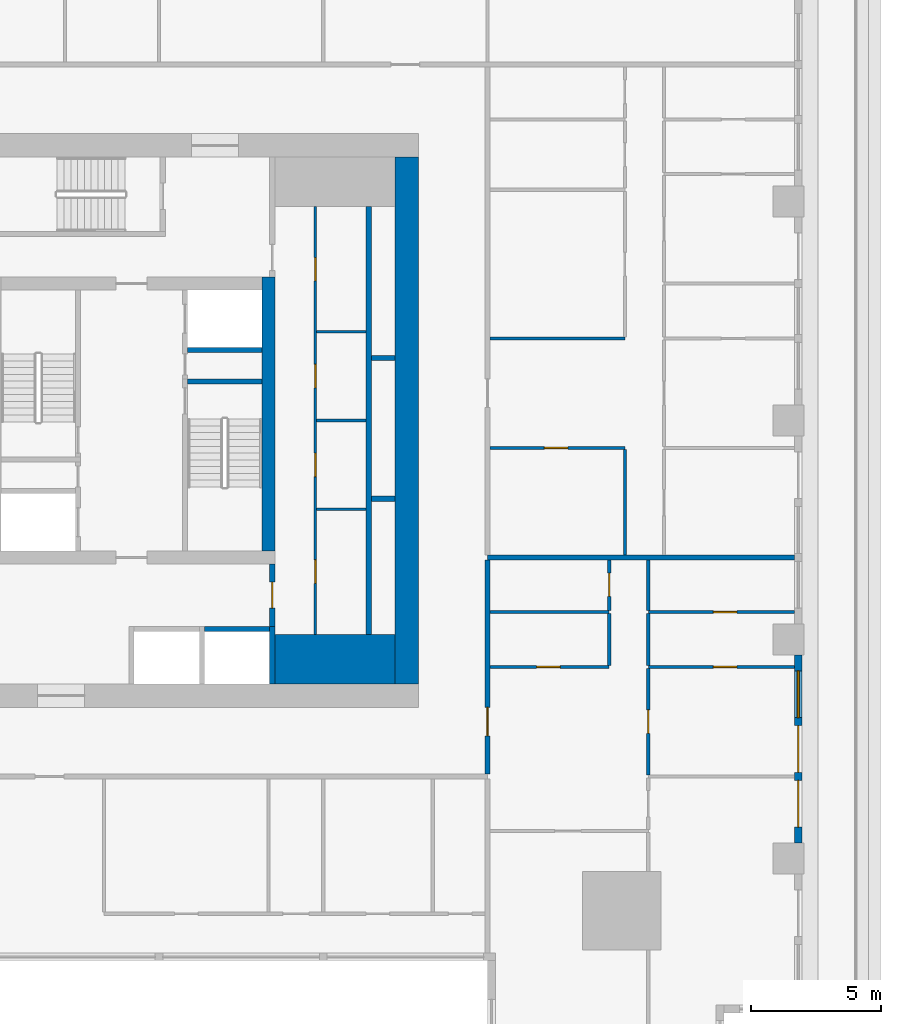
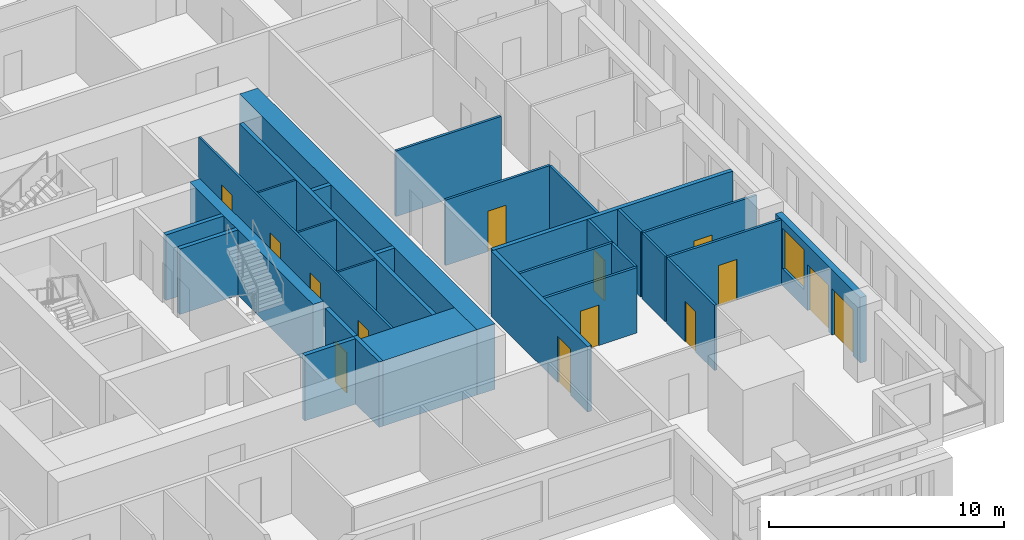
# One storey, part 5 of 14: 30 walls, 14 doors, 1 window, 15 openings.
"""IFC4 building model written with IfcOpenShell, lengths in metres."""

from ifc_helpers import new_model, si_unit, direction, frame, frame_2d, origin, place, context, subcontext, project, spatial, rectangle, extrude, material, layer, layer_set, type_object, element, fill, save


model = new_model("IFC4")

# Units and contexts
model_context = context("Model", 3, precision=1e-05, world=origin(), true_north=direction((0.0, 1.0)))
body_context = subcontext(model_context, "Body", "Model", "MODEL_VIEW")
ifc_project = project(units=[si_unit("LENGTHUNIT", "METRE"), si_unit("AREAUNIT", "SQUARE_METRE"), si_unit("VOLUMEUNIT", "CUBIC_METRE"), si_unit("PLANEANGLEUNIT", "RADIAN"), si_unit("MASSUNIT", "GRAM", prefix="KILO")], contexts=[model_context])

# Site, building, storey
site_placement = place(None, origin())
site = spatial("IfcSite", under=ifc_project, at=site_placement, CompositionType="ELEMENT")
building_placement = place(site_placement, origin())
building = spatial("IfcBuilding", under=site, at=building_placement, Name="Khepri Terraces", CompositionType="ELEMENT")
storey_placement = place(building_placement, frame((0.0, 0.0, 69.89990234375)))
storey = spatial("IfcBuildingStorey", under=building, at=storey_placement, Name="L16", CompositionType="ELEMENT", Elevation=69.89990234375)

# Walls
ifc_material_1 = material(Name="Concrete C80/95", Category="concrete")
ifc_layer_1 = layer(ifc_material_1, 1.89990234375, Name="Concrete C80/95", Category="concrete")
ifc_layer_set_1 = layer_set([ifc_layer_1], Name="Concrete C80/95")
wall_type_1 = type_object("IfcWallType", Name="Core wall 1900 C80/95", PredefinedType="SHEAR", material=ifc_layer_set_1)
wall_1_placement = place(storey_placement, frame((5.5, -9.14990234375, 0.0), z_axis=(0.0, 0.0, 1.0), x_axis=(1.0, 0.0, 0.0)))
element("IfcWall", 1, at=wall_1_placement, inside=storey, type_object=wall_type_1, Name="Core wall PR02 L16", PredefinedType="SHEAR", context=body_context, shape_type="SweptSolid", body=[
    extrude(rectangle(XDim=4.60009765625, YDim=1.89990234375, at=frame_2d((2.300048828125, 0.0))), origin(), (0.0, 0.0, 1.0), 3.400146484375),
])
ifc_layer_2 = layer(ifc_material_1, 0.199951171875, Name="Concrete C80/95", Category="concrete")
ifc_layer_set_2 = layer_set([ifc_layer_2], Name="Concrete C80/95")
wall_type_2 = type_object("IfcWallType", Name="Core wall 200 C80/95", PredefinedType="SHEAR", material=ifc_layer_set_2)
wall_2_placement = place(storey_placement, frame((2.14990234375, 1.5, 0.0), z_axis=(0.0, 0.0, 1.0), x_axis=(1.0, 0.0, 0.0)))
element("IfcWall", 2, at=wall_2_placement, inside=storey, type_object=wall_type_2, Name="Core wall ST04 L16", PredefinedType="SHEAR", context=body_context, shape_type="SweptSolid", body=[
    extrude(rectangle(XDim=2.85009765625, YDim=0.199951171875, at=frame_2d((1.425048828125, 0.0))), origin(), (0.0, 0.0, 1.0), 3.400146484375),
])
wall_3_placement = place(storey_placement, frame((5.39990234375, -10.10009765625, 0.0), z_axis=(0.0, 0.0, 1.0), x_axis=(0.0, 1.0, 0.0)))
element("IfcWall", 3, at=wall_3_placement, inside=storey, type_object=wall_type_2, Name="Core wall SH03 L16", PredefinedType="SHEAR", context=body_context, shape_type="SweptSolid", body=[
    extrude(rectangle(XDim=2.2001953125, YDim=0.199951171875, at=frame_2d((1.10009765625, 0.0))), origin(), (0.0, 0.0, 1.0), 3.400146484375),
])
wall_4_placement = place(storey_placement, frame((9.10009765625, -8.199951171875, 0.0), z_axis=(0.0, 0.0, 1.0), x_axis=(0.0, 1.0, 0.0)))
element("IfcWall", 4, at=wall_4_placement, inside=storey, type_object=wall_type_2, Name="Core wall SH05 L16", PredefinedType="SHEAR", context=body_context, shape_type="SweptSolid", body=[
    extrude(rectangle(XDim=16.39990234375, YDim=0.199951171875, at=frame_2d((8.199951171875, 0.0))), origin(), (0.0, 0.0, 1.0), 3.400146484375),
])
wall_5_placement = place(storey_placement, frame((2.800048828125, -8.0, 0.0), z_axis=(0.0, 0.0, 1.0), x_axis=(1.0, 0.0, 0.0)))
element("IfcWall", 5, at=wall_5_placement, inside=storey, type_object=wall_type_2, Name="Core wall SH07 L16", PredefinedType="SHEAR", context=body_context, shape_type="SweptSolid", body=[
    extrude(rectangle(XDim=2.5, YDim=0.199951171875, at=frame_2d((1.25, 0.0))), origin(), (0.0, 0.0, 1.0), 3.400146484375),
])
for number, where, z_axis, x_axis, name in (
    (6, (9.199951171875, -3.0, 0.0), (0.0, 0.0, 1.0), (1.0, 0.0, 0.0), "Core wall SH11 L16"),
    (7, (9.199951171875, 2.39990234375, 0.0), (0.0, 0.0, 1.0), (1.0, 0.0, 0.0), "Core wall SH16 L16"),
):
    element("IfcWall", number, at=place(storey_placement, frame(where, z_axis=z_axis, x_axis=x_axis)), inside=storey, type_object=wall_type_2, Name=name, PredefinedType="SHEAR", context=body_context, shape_type="SweptSolid", body=[
        extrude(rectangle(XDim=0.900146484375, YDim=0.199951171875, at=frame_2d((0.4501953125, 0.0))), origin(), (0.0, 0.0, 1.0), 3.400146484375),
    ])
wall_6_placement = place(storey_placement, frame((2.14990234375, 2.699951171875, 0.0), z_axis=(0.0, 0.0, 1.0), x_axis=(1.0, 0.0, 0.0)))
element("IfcWall", 8, at=wall_6_placement, inside=storey, type_object=wall_type_2, Name="Core wall SH18 L16", PredefinedType="SHEAR", context=body_context, shape_type="SweptSolid", body=[
    extrude(rectangle(XDim=2.85009765625, YDim=0.199951171875, at=frame_2d((1.425048828125, 0.0))), origin(), (0.0, 0.0, 1.0), 3.400146484375),
])
ifc_layer_3 = layer(ifc_material_1, 0.5, Name="Concrete C80/95", Category="concrete")
ifc_layer_set_3 = layer_set([ifc_layer_3], Name="Concrete C80/95")
wall_type_3 = type_object("IfcWallType", Name="Core wall 500 C80/95", PredefinedType="SHEAR", material=ifc_layer_set_3)
wall_7_placement = place(storey_placement, frame((5.25, -5.0, 0.0), z_axis=(0.0, 0.0, 1.0), x_axis=(0.0, 1.0, 0.0)))
element("IfcWall", 9, at=wall_7_placement, inside=storey, type_object=wall_type_3, Name="Core wall BX03 L16", PredefinedType="SHEAR", context=body_context, shape_type="SweptSolid", body=[
    extrude(rectangle(XDim=10.5, YDim=0.5, at=frame_2d((5.25, 0.0))), origin(), (0.0, 0.0, 1.0), 3.400146484375),
])
ifc_layer_4 = layer(ifc_material_1, 0.89990234375, Name="Concrete C80/95", Category="concrete")
ifc_layer_set_4 = layer_set([ifc_layer_4], Name="Concrete C80/95")
wall_type_4 = type_object("IfcWallType", Name="Core wall 900 C80/95", PredefinedType="SHEAR", material=ifc_layer_set_4)
wall_8_placement = place(storey_placement, frame((10.550048828125, -10.10009765625, 0.0), z_axis=(0.0, 0.0, 1.0), x_axis=(0.0, 1.0, 0.0)))
element("IfcWall", 10, at=wall_8_placement, inside=storey, type_object=wall_type_4, Name="Core wall OW-E L16", PredefinedType="SHEAR", context=body_context, shape_type="SweptSolid", body=[
    extrude(rectangle(XDim=20.2001953125, YDim=0.89990234375, at=frame_2d((10.10009765625, 0.0))), origin(), (0.0, 0.0, 1.0), 3.400146484375),
])

# Wall, openings, doors
ifc_material_2 = material(Name="Fire-rated gypsum board partition")
ifc_layer_5 = layer(ifc_material_2, 0.10009765625, Name="Fire-rated gypsum board partition")
ifc_layer_set_5 = layer_set([ifc_layer_5], Name="Fire-rated gypsum board partition")
wall_type_5 = type_object("IfcWallType", Name="WL-CORE-PART-100", PredefinedType="PARTITIONING", material=ifc_layer_set_5)
wall_9_placement = place(storey_placement, frame((7.050048828125, -8.199951171875, 0.0), z_axis=(0.0, 0.0, 1.0), x_axis=(0.0, 1.0, 0.0)))
wall_9 = element("IfcWall", 11, at=wall_9_placement, inside=storey, type_object=wall_type_5, Name="Core partition PT02 L16", PredefinedType="PARTITIONING", context=body_context, shape_type="SweptSolid", body=[
    extrude(rectangle(XDim=16.39990234375, YDim=0.10009765625, at=frame_2d((8.199951171875, 0.0))), origin(), (0.0, 0.0, 1.0), 3.400146484375),
])
opening_1_placement = place(wall_9_placement, frame((1.949951171875, 0.0, 0.0)))
opening_1 = element("IfcOpeningElement", 12, at=opening_1_placement, cuts=wall_9, Name="Opening L16-C22", PredefinedType="OPENING", context=body_context, shape_type="SweptSolid", body=[
    extrude(rectangle(XDim=0.89990234375, YDim=2.10009765625, at=frame_2d((0.449951171875, 1.050048828125))), frame((0.0, 0.06005859375, 0.0), z_axis=(0.0, -1.0, 0.0), x_axis=(1.0, 0.0, 0.0)), (0.0, 0.0, 1.0), 0.1201171875),
])
opening_2_placement = place(wall_9_placement, frame((6.050048828125, 0.0, 0.0)))
opening_2 = element("IfcOpeningElement", 13, at=opening_2_placement, cuts=wall_9, Name="Opening L16-C23", PredefinedType="OPENING", context=body_context, shape_type="SweptSolid", body=[
    extrude(rectangle(XDim=0.89990234375, YDim=2.10009765625, at=frame_2d((0.449951171875, 1.050048828125))), frame((0.0, 0.06005859375, 0.0), z_axis=(0.0, -1.0, 0.0), x_axis=(1.0, 0.0, 0.0)), (0.0, 0.0, 1.0), 0.1201171875),
])
opening_3_placement = place(wall_9_placement, frame((9.449951171875, 0.0, 0.0)))
opening_3 = element("IfcOpeningElement", 14, at=opening_3_placement, cuts=wall_9, Name="Opening L16-C24", PredefinedType="OPENING", context=body_context, shape_type="SweptSolid", body=[
    extrude(rectangle(XDim=0.89990234375, YDim=2.10009765625, at=frame_2d((0.449951171875, 1.050048828125))), frame((0.0, 0.06005859375, 0.0), z_axis=(0.0, -1.0, 0.0), x_axis=(1.0, 0.0, 0.0)), (0.0, 0.0, 1.0), 0.1201171875),
])
opening_4_placement = place(wall_9_placement, frame((13.550048828125, 0.0, 0.0)))
opening_4 = element("IfcOpeningElement", 15, at=opening_4_placement, cuts=wall_9, Name="Opening L16-C25", PredefinedType="OPENING", context=body_context, shape_type="SweptSolid", body=[
    extrude(rectangle(XDim=0.89990234375, YDim=2.10009765625, at=frame_2d((0.449951171875, 1.050048828125))), frame((0.0, 0.06005859375, 0.0), z_axis=(0.0, -1.0, 0.0), x_axis=(1.0, 0.0, 0.0)), (0.0, 0.0, 1.0), 0.1201171875),
])
ifc_material_3 = material(Name="Painted steel", Category="steel")
door_type_1 = type_object("IfcDoorType", Name="DR-CORE-SERVICE-900", OperationType="NOTDEFINED", PredefinedType="DOOR", material=ifc_material_3)
door_1_placement = place(opening_1_placement, frame((0.89990234375, 0.0, 0.0), z_axis=(0.0, 0.0, 1.0), x_axis=(-1.0, 0.0, 0.0)))
door_1 = element("IfcDoor", 16, at=door_1_placement, inside=storey, type_object=door_type_1, Name="Service room door L16-C22", OperationType="SINGLE_SWING_RIGHT", OverallHeight=2.10009765625, OverallWidth=0.89990234375, PredefinedType="DOOR", context=body_context, shape_type="SweptSolid", body=[
    extrude(rectangle(XDim=0.89990234375, YDim=2.10009765625, at=frame_2d((0.449951171875, 1.050048828125))), frame((0.0, 0.02490234375, 0.0), z_axis=(0.0, -1.0, 0.0), x_axis=(1.0, 0.0, 0.0)), (0.0, 0.0, 1.0), 0.050048828125),
])
fill(opening_1, door_1)
door_2_placement = place(opening_2_placement, frame((0.89990234375, 0.0, 0.0), z_axis=(0.0, 0.0, 1.0), x_axis=(-1.0, 0.0, 0.0)))
door_2 = element("IfcDoor", 17, at=door_2_placement, inside=storey, type_object=door_type_1, Name="Service room door L16-C23", OperationType="SINGLE_SWING_RIGHT", OverallHeight=2.10009765625, OverallWidth=0.89990234375, PredefinedType="DOOR", context=body_context, shape_type="SweptSolid", body=[
    extrude(rectangle(XDim=0.89990234375, YDim=2.10009765625, at=frame_2d((0.449951171875, 1.050048828125))), frame((0.0, 0.02490234375, 0.0), z_axis=(0.0, -1.0, 0.0), x_axis=(1.0, 0.0, 0.0)), (0.0, 0.0, 1.0), 0.050048828125),
])
fill(opening_2, door_2)
door_3_placement = place(opening_3_placement, frame((0.89990234375, 0.0, 0.0), z_axis=(0.0, 0.0, 1.0), x_axis=(-1.0, 0.0, 0.0)))
door_3 = element("IfcDoor", 18, at=door_3_placement, inside=storey, type_object=door_type_1, Name="Service room door L16-C24", OperationType="SINGLE_SWING_LEFT", OverallHeight=2.10009765625, OverallWidth=0.89990234375, PredefinedType="DOOR", context=body_context, shape_type="SweptSolid", body=[
    extrude(rectangle(XDim=0.89990234375, YDim=2.10009765625, at=frame_2d((0.449951171875, 1.050048828125))), frame((0.0, 0.02490234375, 0.0), z_axis=(0.0, -1.0, 0.0), x_axis=(1.0, 0.0, 0.0)), (0.0, 0.0, 1.0), 0.050048828125),
])
fill(opening_3, door_3)
door_4_placement = place(opening_4_placement, frame((0.89990234375, 0.0, 0.0), z_axis=(0.0, 0.0, 1.0), x_axis=(-1.0, 0.0, 0.0)))
door_4 = element("IfcDoor", 19, at=door_4_placement, inside=storey, type_object=door_type_1, Name="Service room door L16-C25", OperationType="SINGLE_SWING_LEFT", OverallHeight=2.10009765625, OverallWidth=0.89990234375, PredefinedType="DOOR", context=body_context, shape_type="SweptSolid", body=[
    extrude(rectangle(XDim=0.89990234375, YDim=2.10009765625, at=frame_2d((0.449951171875, 1.050048828125))), frame((0.0, 0.02490234375, 0.0), z_axis=(0.0, -1.0, 0.0), x_axis=(1.0, 0.0, 0.0)), (0.0, 0.0, 1.0), 0.050048828125),
])
fill(opening_4, door_4)

# Walls
for number, where, z_axis, x_axis, name in (
    (20, (7.10009765625, -3.39990234375, 0.0), (0.0, 0.0, 1.0), (1.0, 0.0, 0.0), "Core partition PT04 L16"),
    (21, (7.10009765625, 0.0, 0.0), (0.0, 0.0, 1.0), (1.0, 0.0, 0.0), "Core partition PT05 L16"),
    (22, (7.10009765625, 3.39990234375, 0.0), (0.0, 0.0, 1.0), (1.0, 0.0, 0.0), "Core partition PT06 L16"),
):
    element("IfcWall", number, at=place(storey_placement, frame(where, z_axis=z_axis, x_axis=x_axis)), inside=storey, type_object=wall_type_5, Name=name, PredefinedType="PARTITIONING", context=body_context, shape_type="SweptSolid", body=[
        extrude(rectangle(XDim=1.89990234375, YDim=0.10009765625, at=frame_2d((0.949951171875, 0.0))), origin(), (0.0, 0.0, 1.0), 3.400146484375),
    ])

# Wall, opening, door
ifc_layer_6 = layer(ifc_material_2, 0.199951171875, Name="Fire-rated gypsum board partition")
ifc_layer_set_6 = layer_set([ifc_layer_6], Name="Fire-rated gypsum board partition")
wall_type_6 = type_object("IfcWallType", Name="WL-CORE-PART-200", PredefinedType="PARTITIONING", material=ifc_layer_set_6)
wall_10_placement = place(storey_placement, frame((5.39990234375, -7.89990234375, 0.0), z_axis=(0.0, 0.0, 1.0), x_axis=(0.0, 1.0, 0.0)))
wall_10 = element("IfcWall", 23, at=wall_10_placement, inside=storey, type_object=wall_type_6, Name="Core partition PT03 L16", PredefinedType="PARTITIONING", context=body_context, shape_type="SweptSolid", body=[
    extrude(rectangle(XDim=2.39990234375, YDim=0.199951171875, at=frame_2d((1.199951171875, 0.0))), origin(), (0.0, 0.0, 1.0), 3.400146484375),
])
opening_5_placement = place(wall_10_placement, frame((0.699951171875, 0.0, 0.0)))
opening_5 = element("IfcOpeningElement", 24, at=opening_5_placement, cuts=wall_10, Name="Opening L16-C19", PredefinedType="OPENING", context=body_context, shape_type="SweptSolid", body=[
    extrude(rectangle(XDim=1.0, YDim=2.10009765625, at=frame_2d((0.5, 1.050048828125))), frame((0.0, 0.10986328125, 0.0), z_axis=(0.0, -1.0, 0.0), x_axis=(1.0, 0.0, 0.0)), (0.0, 0.0, 1.0), 0.219970703125),
])
door_type_2 = type_object("IfcDoorType", Name="DR-CORE-LOBBY-1000", OperationType="NOTDEFINED", PredefinedType="DOOR", material=ifc_material_3)
door_5_placement = place(opening_5_placement, origin())
door_5 = element("IfcDoor", 25, at=door_5_placement, inside=storey, type_object=door_type_2, Name="Lobby door L16-C19", OperationType="SINGLE_SWING_RIGHT", OverallHeight=2.10009765625, OverallWidth=1.0, PredefinedType="DOOR", context=body_context, shape_type="SweptSolid", body=[
    extrude(rectangle(XDim=1.0, YDim=2.10009765625, at=frame_2d((0.5, 1.050048828125))), frame((0.0, 0.02490234375, 0.0), z_axis=(0.0, -1.0, 0.0), x_axis=(1.0, 0.0, 0.0)), (0.0, 0.0, 1.0), 0.050048828125),
])
fill(opening_5, door_5)

ifc_material_4 = material(Name="Fire-rated gypsum plasterboard partition, mineral wool")
ifc_layer_7 = layer(ifc_material_4, 0.199951171875, Name="Fire-rated gypsum plasterboard partition, mineral wool")
ifc_layer_set_7 = layer_set([ifc_layer_7], Name="Fire-rated gypsum plasterboard partition, mineral wool")
wall_type_7 = type_object("IfcWallType", Name="WL-CORR-200", PredefinedType="PARTITIONING", material=ifc_layer_set_7)
wall_11_placement = place(storey_placement, frame((13.64990234375, -13.550048828125, 0.0), z_axis=(0.0, 0.0, 1.0), x_axis=(0.0, 1.0, 0.0)))
wall_11 = element("IfcWall", 26, at=wall_11_placement, inside=storey, type_object=wall_type_7, Name="Partition P-024 L16", PredefinedType="PARTITIONING", context=body_context, shape_type="SweptSolid", body=[
    extrude(rectangle(XDim=8.199951171875, YDim=0.199951171875, at=frame_2d((4.10009765625, 0.0))), origin(), (0.0, 0.0, 1.0), 3.400146484375),
])
opening_6_placement = place(wall_11_placement, frame((1.449951171875, 0.0, 0.0)))
opening_6 = element("IfcOpeningElement", 27, at=opening_6_placement, cuts=wall_11, Name="Opening D1", PredefinedType="OPENING", context=body_context, shape_type="SweptSolid", body=[
    extrude(rectangle(XDim=1.10009765625, YDim=2.39990234375, at=frame_2d((0.550048828125, 1.199951171875))), frame((0.0, 0.10986328125, 0.0), z_axis=(0.0, -1.0, 0.0), x_axis=(1.0, 0.0, 0.0)), (0.0, 0.0, 1.0), 0.219970703125),
])
ifc_material_5 = material(Name="Solid-core timber door leaf, flat entrance door", Category="wood")
door_type_3 = type_object("IfcDoorType", Name="DR-ENT-1100", OperationType="NOTDEFINED", PredefinedType="DOOR", material=ifc_material_5)
door_6_placement = place(opening_6_placement, frame((1.10009765625, 0.0, 0.0), z_axis=(0.0, 0.0, 1.0), x_axis=(-1.0, 0.0, 0.0)))
door_6 = element("IfcDoor", 28, at=door_6_placement, inside=storey, type_object=door_type_3, Name="Flat B1 entrance door", OperationType="SINGLE_SWING_RIGHT", OverallHeight=2.39990234375, OverallWidth=1.10009765625, PredefinedType="DOOR", context=body_context, shape_type="SweptSolid", body=[
    extrude(rectangle(XDim=1.10009765625, YDim=2.39990234375, at=frame_2d((0.550048828125, 1.199951171875))), frame((0.0, 0.02490234375, 0.0), z_axis=(0.0, -1.0, 0.0), x_axis=(1.0, 0.0, 0.0)), (0.0, 0.0, 1.0), 0.050048828125),
])
fill(opening_6, door_6)

# Wall
wall_12_placement = place(storey_placement, frame((13.64990234375, -5.25, 0.0), z_axis=(0.0, 0.0, 1.0), x_axis=(1.0, 0.0, 0.0)))
element("IfcWall", 29, at=wall_12_placement, inside=storey, type_object=wall_type_7, Name="Partition P-041 L16", PredefinedType="PARTITIONING", context=body_context, shape_type="SweptSolid", body=[
    extrude(rectangle(XDim=11.77001953125, YDim=0.199951171875, at=frame_2d((5.885009765625, 0.0))), origin(), (0.0, 0.0, 1.0), 3.400146484375),
])

# Wall, openings, doors, window
ifc_material_6 = material(Name="Precast concrete C50/60 warm stone", Category="masonry")
ifc_layer_8 = layer(ifc_material_6, 0.300048828125, Name="Precast concrete C50/60 warm stone", Category="masonry")
ifc_layer_set_8 = layer_set([ifc_layer_8], Name="Precast concrete C50/60 warm stone")
wall_type_8 = type_object("IfcWallType", Name="WL-EXT-PRECAST-300", PredefinedType="STANDARD", material=ifc_layer_set_8)
wall_13_placement = place(storey_placement, frame((25.570068359375, -16.199951171875, 0.0), z_axis=(0.0, 0.0, 1.0), x_axis=(0.0, 1.0, 0.0)))
wall_13 = element("IfcWall", 30, at=wall_13_placement, inside=storey, type_object=wall_type_8, Name="External wall L16 E", PredefinedType="STANDARD", context=body_context, shape_type="SweptSolid", body=[
    extrude(rectangle(XDim=7.199951171875, YDim=0.300048828125, at=frame_2d((3.60009765625, 0.0))), origin(), (0.0, 0.0, 1.0), 3.400146484375),
])
opening_7_placement = place(wall_13_placement, frame((0.60009765625, 0.0, 0.0)))
opening_7 = element("IfcOpeningElement", 31, at=opening_7_placement, cuts=wall_13, Name="Opening ED-L16-02", PredefinedType="OPENING", context=body_context, shape_type="SweptSolid", body=[
    extrude(rectangle(XDim=1.800048828125, YDim=2.39990234375, at=frame_2d((0.89990234375, 1.199951171875))), frame((0.0, 0.16015625, 0.0), z_axis=(0.0, -1.0, 0.0), x_axis=(1.0, 0.0, 0.0)), (0.0, 0.0, 1.0), 0.320068359375),
])
opening_8_placement = place(wall_13_placement, frame((2.699951171875, 0.0, 0.0)))
opening_8 = element("IfcOpeningElement", 32, at=opening_8_placement, cuts=wall_13, Name="Opening ED-L16-03", PredefinedType="OPENING", context=body_context, shape_type="SweptSolid", body=[
    extrude(rectangle(XDim=1.800048828125, YDim=2.39990234375, at=frame_2d((0.89990234375, 1.199951171875))), frame((0.0, 0.16015625, 0.0), z_axis=(0.0, -1.0, 0.0), x_axis=(1.0, 0.0, 0.0)), (0.0, 0.0, 1.0), 0.320068359375),
])
opening_9_placement = place(wall_13_placement, frame((4.800048828125, 0.0, 0.89990234375)))
opening_9 = element("IfcOpeningElement", 33, at=opening_9_placement, cuts=wall_13, Name="Opening W1", PredefinedType="OPENING", context=body_context, shape_type="SweptSolid", body=[
    extrude(rectangle(XDim=1.800048828125, YDim=2.10009765625, at=frame_2d((0.89990234375, 1.050048828125))), frame((0.0, 0.16015625, 0.0), z_axis=(0.0, -1.0, 0.0), x_axis=(1.0, 0.0, 0.0)), (0.0, 0.0, 1.0), 0.320068359375),
])
ifc_material_7 = material(Name="Anodised aluminium bronze glazed door", Category="aluminium")
door_type_4 = type_object("IfcDoorType", Name="DR-BAL-SLIDE-1800x2400", OperationType="NOTDEFINED", PredefinedType="DOOR", material=ifc_material_7)
door_7_placement = place(opening_7_placement, origin())
door_7 = element("IfcDoor", 34, at=door_7_placement, inside=storey, type_object=door_type_4, Name="Balcony door L16 E", OperationType="SLIDING_TO_LEFT", OverallHeight=2.39990234375, OverallWidth=1.800048828125, PredefinedType="DOOR", context=body_context, shape_type="SweptSolid", body=[
    extrude(rectangle(XDim=1.800048828125, YDim=2.39990234375, at=frame_2d((0.89990234375, 1.199951171875))), frame((0.0, 0.02490234375, 0.0), z_axis=(0.0, -1.0, 0.0), x_axis=(1.0, 0.0, 0.0)), (0.0, 0.0, 1.0), 0.050048828125),
])
fill(opening_7, door_7)
door_8_placement = place(opening_8_placement, origin())
door_8 = element("IfcDoor", 35, at=door_8_placement, inside=storey, type_object=door_type_4, Name="Balcony door L16 E", OperationType="SLIDING_TO_RIGHT", OverallHeight=2.39990234375, OverallWidth=1.800048828125, PredefinedType="DOOR", context=body_context, shape_type="SweptSolid", body=[
    extrude(rectangle(XDim=1.800048828125, YDim=2.39990234375, at=frame_2d((0.89990234375, 1.199951171875))), frame((0.0, 0.02490234375, 0.0), z_axis=(0.0, -1.0, 0.0), x_axis=(1.0, 0.0, 0.0)), (0.0, 0.0, 1.0), 0.050048828125),
])
fill(opening_8, door_8)
ifc_material_8 = material(Name="Clear glass", Category="glass")
window_type = type_object("IfcWindowType", Name="WIN-RES-1800x2100", PartitioningType="SINGLE_PANEL", PredefinedType="WINDOW", material=ifc_material_8)
window_placement = place(opening_9_placement, origin())
window = element("IfcWindow", 36, at=window_placement, inside=storey, type_object=window_type, Name="Window L16 E", OverallHeight=2.10009765625, OverallWidth=1.800048828125, PartitioningType="SINGLE_PANEL", PredefinedType="WINDOW", context=body_context, shape_type="SweptSolid", body=[
    extrude(rectangle(XDim=1.800048828125, YDim=2.10009765625, at=frame_2d((0.89990234375, 1.050048828125))), frame((0.0, 0.030029296875, 0.0), z_axis=(0.0, -1.0, 0.0), x_axis=(1.0, 0.0, 0.0)), (0.0, 0.0, 1.0), 0.06005859375),
])
fill(opening_9, window)

# Wall, opening, door
ifc_material_9 = material(Name="Gypsum plasterboard partition")
ifc_layer_9 = layer(ifc_material_9, 0.1201171875, Name="Gypsum plasterboard partition")
ifc_layer_set_9 = layer_set([ifc_layer_9], Name="Gypsum plasterboard partition")
wall_type_9 = type_object("IfcWallType", Name="WL-PART-120", PredefinedType="PARTITIONING", material=ifc_layer_set_9)
wall_14_placement = place(storey_placement, frame((19.820068359375, -13.590087890625, 0.0), z_axis=(0.0, 0.0, 1.0), x_axis=(0.0, 1.0, 0.0)))
wall_14 = element("IfcWall", 37, at=wall_14_placement, inside=storey, type_object=wall_type_9, Name="Partition P-020 L16", PredefinedType="PARTITIONING", context=body_context, shape_type="SweptSolid", body=[
    extrude(rectangle(XDim=4.080078125, YDim=0.1201171875, at=frame_2d((2.0400390625, 0.0))), origin(), (0.0, 0.0, 1.0), 3.400146484375),
])
opening_10_placement = place(wall_14_placement, frame((1.590087890625, 0.0, 0.0)))
opening_10 = element("IfcOpeningElement", 38, at=opening_10_placement, cuts=wall_14, Name="Opening D3", PredefinedType="OPENING", context=body_context, shape_type="SweptSolid", body=[
    extrude(rectangle(XDim=0.89990234375, YDim=2.10009765625, at=frame_2d((0.449951171875, 1.050048828125))), frame((0.0, 0.070068359375, 0.0), z_axis=(0.0, -1.0, 0.0), x_axis=(1.0, 0.0, 0.0)), (0.0, 0.0, 1.0), 0.14013671875),
])
ifc_material_10 = material(Name="Timber door leaf", Category="wood")
door_type_5 = type_object("IfcDoorType", Name="DR-INT-900", OperationType="NOTDEFINED", PredefinedType="DOOR", material=ifc_material_10)
door_9_placement = place(opening_10_placement, frame((0.89990234375, 0.0, 0.0), z_axis=(0.0, 0.0, 1.0), x_axis=(-1.0, 0.0, 0.0)))
door_9 = element("IfcDoor", 39, at=door_9_placement, inside=storey, type_object=door_type_5, Name="Door Master Bedroom", OperationType="SINGLE_SWING_RIGHT", OverallHeight=2.10009765625, OverallWidth=0.89990234375, PredefinedType="DOOR", context=body_context, shape_type="SweptSolid", body=[
    extrude(rectangle(XDim=0.89990234375, YDim=2.10009765625, at=frame_2d((0.449951171875, 1.050048828125))), frame((0.0, 0.02490234375, 0.0), z_axis=(0.0, -1.0, 0.0), x_axis=(1.0, 0.0, 0.0)), (0.0, 0.0, 1.0), 0.050048828125),
])
fill(opening_10, door_9)

wall_15_placement = place(storey_placement, frame((13.75, -9.449951171875, 0.0), z_axis=(0.0, 0.0, 1.0), x_axis=(1.0, 0.0, 0.0)))
wall_15 = element("IfcWall", 40, at=wall_15_placement, inside=storey, type_object=wall_type_9, Name="Partition P-030 L16", PredefinedType="PARTITIONING", context=body_context, shape_type="SweptSolid", body=[
    extrude(rectangle(XDim=4.570068359375, YDim=0.1201171875, at=frame_2d((2.28515625, 0.0))), origin(), (0.0, 0.0, 1.0), 3.400146484375),
])
opening_11_placement = place(wall_15_placement, frame((1.784912109375, 0.0, 0.0)))
opening_11 = element("IfcOpeningElement", 41, at=opening_11_placement, cuts=wall_15, Name="Opening D4", PredefinedType="OPENING", context=body_context, shape_type="SweptSolid", body=[
    extrude(rectangle(XDim=0.89990234375, YDim=2.10009765625, at=frame_2d((0.449951171875, 1.050048828125))), frame((0.0, 0.070068359375, 0.0), z_axis=(0.0, -1.0, 0.0), x_axis=(1.0, 0.0, 0.0)), (0.0, 0.0, 1.0), 0.14013671875),
])
ifc_material_11 = material(Name="Timber door leaf, moisture resistant", Category="wood")
door_type_6 = type_object("IfcDoorType", Name="DR-WET-900", OperationType="NOTDEFINED", PredefinedType="DOOR", material=ifc_material_11)
door_10_placement = place(opening_11_placement, origin())
door_10 = element("IfcDoor", 42, at=door_10_placement, inside=storey, type_object=door_type_6, Name="Door Guest Bathroom", OperationType="SINGLE_SWING_LEFT", OverallHeight=2.10009765625, OverallWidth=0.89990234375, PredefinedType="DOOR", context=body_context, shape_type="SweptSolid", body=[
    extrude(rectangle(XDim=0.89990234375, YDim=2.10009765625, at=frame_2d((0.449951171875, 1.050048828125))), frame((0.0, 0.02490234375, 0.0), z_axis=(0.0, -1.0, 0.0), x_axis=(1.0, 0.0, 0.0)), (0.0, 0.0, 1.0), 0.050048828125),
])
fill(opening_11, door_10)

wall_16_placement = place(storey_placement, frame((19.820068359375, -9.449951171875, 0.0), z_axis=(0.0, 0.0, 1.0), x_axis=(1.0, 0.0, 0.0)))
wall_16 = element("IfcWall", 43, at=wall_16_placement, inside=storey, type_object=wall_type_9, Name="Partition P-031 L16", PredefinedType="PARTITIONING", context=body_context, shape_type="SweptSolid", body=[
    extrude(rectangle(XDim=5.599853515625, YDim=0.1201171875, at=frame_2d((2.7998046875, 0.0))), origin(), (0.0, 0.0, 1.0), 3.400146484375),
])
opening_12_placement = place(wall_16_placement, frame((2.5, 0.0, 0.0)))
opening_12 = element("IfcOpeningElement", 44, at=opening_12_placement, cuts=wall_16, Name="Opening D3", PredefinedType="OPENING", context=body_context, shape_type="SweptSolid", body=[
    extrude(rectangle(XDim=0.89990234375, YDim=2.10009765625, at=frame_2d((0.449951171875, 1.050048828125))), frame((0.0, 0.070068359375, 0.0), z_axis=(0.0, -1.0, 0.0), x_axis=(1.0, 0.0, 0.0)), (0.0, 0.0, 1.0), 0.14013671875),
])
door_11_placement = place(opening_12_placement, origin())
door_11 = element("IfcDoor", 45, at=door_11_placement, inside=storey, type_object=door_type_5, Name="Door Dressing Room", OperationType="SINGLE_SWING_RIGHT", OverallHeight=2.10009765625, OverallWidth=0.89990234375, PredefinedType="DOOR", context=body_context, shape_type="SweptSolid", body=[
    extrude(rectangle(XDim=0.89990234375, YDim=2.10009765625, at=frame_2d((0.449951171875, 1.050048828125))), frame((0.0, 0.02490234375, 0.0), z_axis=(0.0, -1.0, 0.0), x_axis=(1.0, 0.0, 0.0)), (0.0, 0.0, 1.0), 0.050048828125),
])
fill(opening_12, door_11)

# Walls
for number, where, z_axis, x_axis, name in (
    (46, (18.320068359375, -9.389892578125, 0.0), (0.0, 0.0, 1.0), (0.0, 1.0, 0.0), "Partition P-033 L16"),
    (47, (19.820068359375, -9.389892578125, 0.0), (0.0, 0.0, 1.0), (0.0, 1.0, 0.0), "Partition P-034 L16"),
):
    element("IfcWall", number, at=place(storey_placement, frame(where, z_axis=z_axis, x_axis=x_axis)), inside=storey, type_object=wall_type_9, Name=name, PredefinedType="PARTITIONING", context=body_context, shape_type="SweptSolid", body=[
        extrude(rectangle(XDim=1.97998046875, YDim=0.1201171875, at=frame_2d((0.989990234375, 0.0))), origin(), (0.0, 0.0, 1.0), 3.400146484375),
    ])
wall_17_placement = place(storey_placement, frame((13.75, -7.35009765625, 0.0), z_axis=(0.0, 0.0, 1.0), x_axis=(1.0, 0.0, 0.0)))
element("IfcWall", 48, at=wall_17_placement, inside=storey, type_object=wall_type_9, Name="Partition P-037 L16", PredefinedType="PARTITIONING", context=body_context, shape_type="SweptSolid", body=[
    extrude(rectangle(XDim=4.570068359375, YDim=0.1201171875, at=frame_2d((2.28515625, 0.0))), origin(), (0.0, 0.0, 1.0), 3.400146484375),
])

# Wall, opening, door
wall_18_placement = place(storey_placement, frame((19.820068359375, -7.35009765625, 0.0), z_axis=(0.0, 0.0, 1.0), x_axis=(1.0, 0.0, 0.0)))
wall_18 = element("IfcWall", 49, at=wall_18_placement, inside=storey, type_object=wall_type_9, Name="Partition P-038 L16", PredefinedType="PARTITIONING", context=body_context, shape_type="SweptSolid", body=[
    extrude(rectangle(XDim=5.599853515625, YDim=0.1201171875, at=frame_2d((2.7998046875, 0.0))), origin(), (0.0, 0.0, 1.0), 3.400146484375),
])
opening_13_placement = place(wall_18_placement, frame((2.5, 0.0, 0.0)))
opening_13 = element("IfcOpeningElement", 50, at=opening_13_placement, cuts=wall_18, Name="Opening D4", PredefinedType="OPENING", context=body_context, shape_type="SweptSolid", body=[
    extrude(rectangle(XDim=0.89990234375, YDim=2.10009765625, at=frame_2d((0.449951171875, 1.050048828125))), frame((0.0, 0.070068359375, 0.0), z_axis=(0.0, -1.0, 0.0), x_axis=(1.0, 0.0, 0.0)), (0.0, 0.0, 1.0), 0.14013671875),
])
door_12_placement = place(opening_13_placement, origin())
door_12 = element("IfcDoor", 51, at=door_12_placement, inside=storey, type_object=door_type_6, Name="Door Bathroom", OperationType="SINGLE_SWING_RIGHT", OverallHeight=2.10009765625, OverallWidth=0.89990234375, PredefinedType="DOOR", context=body_context, shape_type="SweptSolid", body=[
    extrude(rectangle(XDim=0.89990234375, YDim=2.10009765625, at=frame_2d((0.449951171875, 1.050048828125))), frame((0.0, 0.02490234375, 0.0), z_axis=(0.0, -1.0, 0.0), x_axis=(1.0, 0.0, 0.0)), (0.0, 0.0, 1.0), 0.050048828125),
])
fill(opening_13, door_12)

wall_19_placement = place(storey_placement, frame((18.320068359375, -7.2900390625, 0.0), z_axis=(0.0, 0.0, 1.0), x_axis=(0.0, 1.0, 0.0)))
wall_19 = element("IfcWall", 52, at=wall_19_placement, inside=storey, type_object=wall_type_9, Name="Partition P-039 L16", PredefinedType="PARTITIONING", context=body_context, shape_type="SweptSolid", body=[
    extrude(rectangle(XDim=1.93994140625, YDim=0.1201171875, at=frame_2d((0.969970703125, 0.0))), origin(), (0.0, 0.0, 1.0), 3.400146484375),
])
opening_14_placement = place(wall_19_placement, frame((0.5400390625, 0.0, 0.0)))
opening_14 = element("IfcOpeningElement", 53, at=opening_14_placement, cuts=wall_19, Name="Opening D3", PredefinedType="OPENING", context=body_context, shape_type="SweptSolid", body=[
    extrude(rectangle(XDim=0.89990234375, YDim=2.10009765625, at=frame_2d((0.449951171875, 1.050048828125))), frame((0.0, 0.070068359375, 0.0), z_axis=(0.0, -1.0, 0.0), x_axis=(1.0, 0.0, 0.0)), (0.0, 0.0, 1.0), 0.14013671875),
])
door_13_placement = place(opening_14_placement, origin())
door_13 = element("IfcDoor", 54, at=door_13_placement, inside=storey, type_object=door_type_5, Name="Door Kitchen", OperationType="SINGLE_SWING_RIGHT", OverallHeight=2.10009765625, OverallWidth=0.89990234375, PredefinedType="DOOR", context=body_context, shape_type="SweptSolid", body=[
    extrude(rectangle(XDim=0.89990234375, YDim=2.10009765625, at=frame_2d((0.449951171875, 1.050048828125))), frame((0.0, 0.02490234375, 0.0), z_axis=(0.0, -1.0, 0.0), x_axis=(1.0, 0.0, 0.0)), (0.0, 0.0, 1.0), 0.050048828125),
])
fill(opening_14, door_13)

# Walls
wall_20_placement = place(storey_placement, frame((19.820068359375, -7.2900390625, 0.0), z_axis=(0.0, 0.0, 1.0), x_axis=(0.0, 1.0, 0.0)))
element("IfcWall", 55, at=wall_20_placement, inside=storey, type_object=wall_type_9, Name="Partition P-040 L16", PredefinedType="PARTITIONING", context=body_context, shape_type="SweptSolid", body=[
    extrude(rectangle(XDim=1.93994140625, YDim=0.1201171875, at=frame_2d((0.969970703125, 0.0))), origin(), (0.0, 0.0, 1.0), 3.400146484375),
])
wall_21_placement = place(storey_placement, frame((18.919921875, -5.14990234375, 0.0), z_axis=(0.0, 0.0, 1.0), x_axis=(0.0, 1.0, 0.0)))
element("IfcWall", 56, at=wall_21_placement, inside=storey, type_object=wall_type_9, Name="Partition P-043 L16", PredefinedType="PARTITIONING", context=body_context, shape_type="SweptSolid", body=[
    extrude(rectangle(XDim=4.039794921875, YDim=0.1201171875, at=frame_2d((2.02001953125, 0.0))), origin(), (0.0, 0.0, 1.0), 3.400146484375),
])

# Wall, opening, door
wall_22_placement = place(storey_placement, frame((13.75, -1.050048828125, 0.0), z_axis=(0.0, 0.0, 1.0), x_axis=(1.0, 0.0, 0.0)))
wall_22 = element("IfcWall", 57, at=wall_22_placement, inside=storey, type_object=wall_type_9, Name="Partition P-048 L16", PredefinedType="PARTITIONING", context=body_context, shape_type="SweptSolid", body=[
    extrude(rectangle(XDim=5.169921875, YDim=0.1201171875, at=frame_2d((2.5849609375, 0.0))), origin(), (0.0, 0.0, 1.0), 3.400146484375),
])
opening_15_placement = place(wall_22_placement, frame((2.0849609375, 0.0, 0.0)))
opening_15 = element("IfcOpeningElement", 58, at=opening_15_placement, cuts=wall_22, Name="Opening D3", PredefinedType="OPENING", context=body_context, shape_type="SweptSolid", body=[
    extrude(rectangle(XDim=0.89990234375, YDim=2.10009765625, at=frame_2d((0.449951171875, 1.050048828125))), frame((0.0, 0.070068359375, 0.0), z_axis=(0.0, -1.0, 0.0), x_axis=(1.0, 0.0, 0.0)), (0.0, 0.0, 1.0), 0.14013671875),
])
door_14_placement = place(opening_15_placement, frame((0.89990234375, 0.0, 0.0), z_axis=(0.0, 0.0, 1.0), x_axis=(-1.0, 0.0, 0.0)))
door_14 = element("IfcDoor", 59, at=door_14_placement, inside=storey, type_object=door_type_5, Name="Door Staff Bedroom", OperationType="SINGLE_SWING_RIGHT", OverallHeight=2.10009765625, OverallWidth=0.89990234375, PredefinedType="DOOR", context=body_context, shape_type="SweptSolid", body=[
    extrude(rectangle(XDim=0.89990234375, YDim=2.10009765625, at=frame_2d((0.449951171875, 1.050048828125))), frame((0.0, 0.02490234375, 0.0), z_axis=(0.0, -1.0, 0.0), x_axis=(1.0, 0.0, 0.0)), (0.0, 0.0, 1.0), 0.050048828125),
])
fill(opening_15, door_14)

# Wall
wall_23_placement = place(storey_placement, frame((13.75, 3.14990234375, 0.0), z_axis=(0.0, 0.0, 1.0), x_axis=(1.0, 0.0, 0.0)))
element("IfcWall", 60, at=wall_23_placement, inside=storey, type_object=wall_type_9, Name="Partition P-053 L16", PredefinedType="PARTITIONING", context=body_context, shape_type="SweptSolid", body=[
    extrude(rectangle(XDim=5.169921875, YDim=0.1201171875, at=frame_2d((2.5849609375, 0.0))), origin(), (0.0, 0.0, 1.0), 3.400146484375),
])

save(model, "model.ifc")
